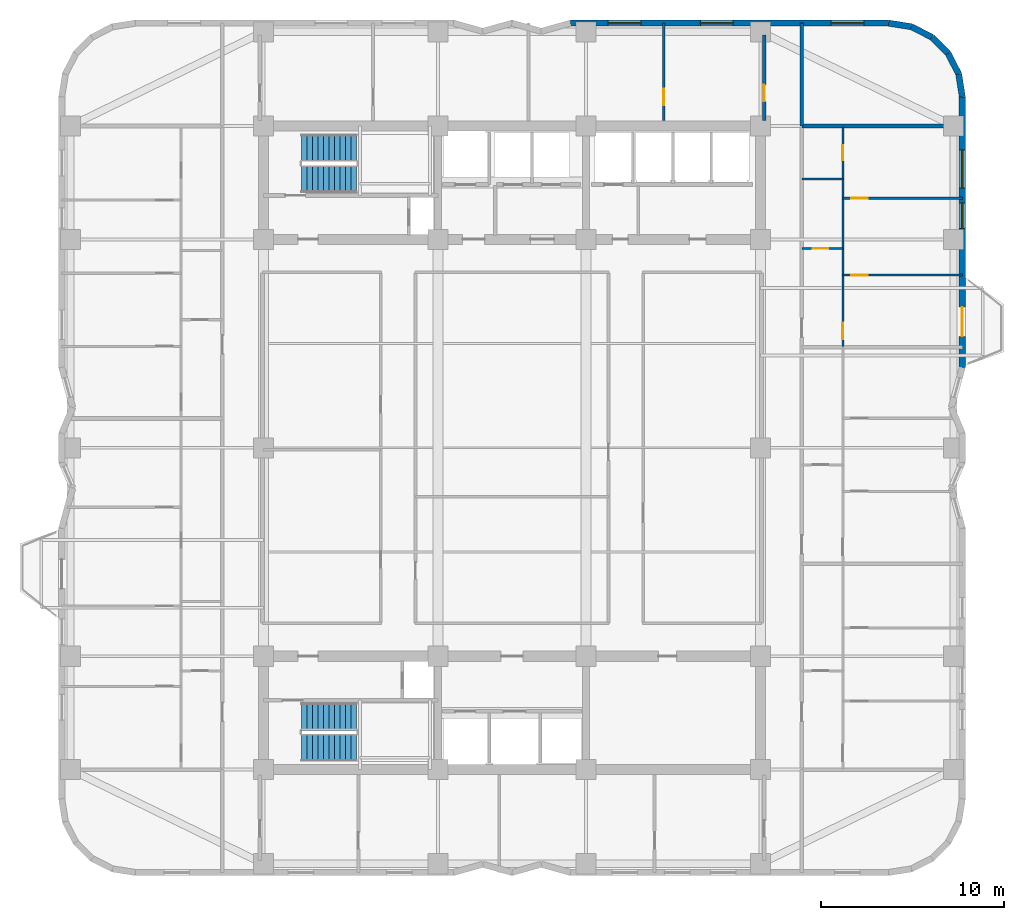
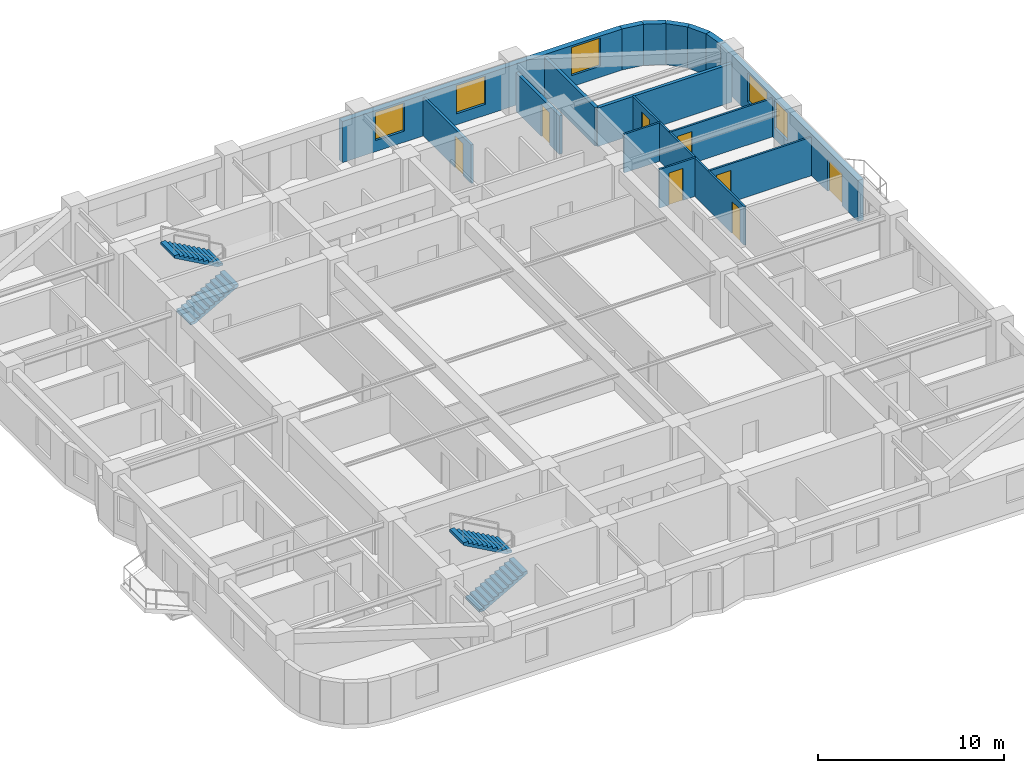
# One storey, part 7 of 9: 16 walls, 8 doors, 5 windows, 4 stair flights, 13 openings, 2 elements without a shape of their own.
"""IFC4 building model written with IfcOpenShell, lengths in metres."""

from ifc_helpers import new_model, si_unit, direction, frame, frame_2d, origin, place, context, subcontext, project, spatial, polyline, rectangle, outline, extrude, material, layer, layer_set, type_object, element, fill, aggregate, save


model = new_model("IFC4")

# Units and contexts
model_context = context("Model", 3, precision=1e-05, world=origin(), true_north=direction((0.0, 1.0)))
body_context = subcontext(model_context, "Body", "Model", "MODEL_VIEW")
ifc_project = project(units=[si_unit("LENGTHUNIT", "METRE"), si_unit("AREAUNIT", "SQUARE_METRE"), si_unit("VOLUMEUNIT", "CUBIC_METRE"), si_unit("PLANEANGLEUNIT", "RADIAN"), si_unit("MASSUNIT", "GRAM", prefix="KILO")], contexts=[model_context])

# Site, building, storey
site_placement = place(None, origin())
site = spatial("IfcSite", under=ifc_project, at=site_placement, CompositionType="ELEMENT")
building_placement = place(site_placement, origin())
building = spatial("IfcBuilding", under=site, at=building_placement, Name="Svetorya Sky Lyceum", CompositionType="ELEMENT")
storey_placement = place(building_placement, frame((0.0, 0.0, 92.0)))
storey = spatial("IfcBuildingStorey", under=building, at=storey_placement, Name="L22", CompositionType="ELEMENT", Elevation=92.0)

# Wall, openings, door, windows
ifc_material_1 = material(Name="Putilovo limestone rainscreen on autoclaved cellular masonry", Category="masonry")
ifc_layer_1 = layer(ifc_material_1, 0.340087890625)
ifc_layer_set_1 = layer_set([ifc_layer_1], Name="Putilovo limestone rainscreen on autoclaved cellular masonry")
wall_type_1 = type_object("IfcWallType", Name="WL-EXT-340", PredefinedType="SOLIDWALL", material=ifc_layer_set_1)
wall_1_placement = place(storey_placement, frame((63.830078125, 32.60009765625, 0.0), z_axis=(0.0, 0.0, 1.0), x_axis=(0.0, 1.0, 0.0)))
wall_1 = element("IfcWall", 1, at=wall_1_placement, inside=storey, type_object=wall_type_1, Name="L22 Limestone Exterior Wall 23M", PredefinedType="SOLIDWALL", context=body_context, shape_type="SweptSolid", body=[
    extrude(rectangle(XDim=14.7998046875, YDim=0.340087890625, at=frame_2d((7.39990234375, 0.0))), origin(), (0.0, 0.0, 1.0), 2.699951171875),
])
opening_1_placement = place(wall_1_placement, frame((1.699951171875, 0.0, 0.0)))
opening_1 = element("IfcOpeningElement", 2, at=opening_1_placement, cuts=wall_1, Name="Opening D-BL1", PredefinedType="OPENING", context=body_context, shape_type="SweptSolid", body=[
    extrude(rectangle(XDim=1.60009765625, YDim=2.10009765625, at=frame_2d((0.800048828125, 1.050048828125))), frame((0.0, 0.179931640625, 0.0), z_axis=(0.0, -1.0, 0.0), x_axis=(1.0, 0.0, 0.0)), (0.0, 0.0, 1.0), 0.360107421875),
])
opening_2_placement = place(wall_1_placement, frame((7.60009765625, 0.0, 0.68994140625)))
opening_2 = element("IfcOpeningElement", 3, at=opening_2_placement, cuts=wall_1, Name="Opening W-R2", PredefinedType="OPENING", context=body_context, shape_type="SweptSolid", body=[
    extrude(rectangle(XDim=1.39990234375, YDim=1.85009765625, at=frame_2d((0.699951171875, 0.925048828125))), frame((0.0, 0.179931640625, 0.0), z_axis=(0.0, -1.0, 0.0), x_axis=(1.0, 0.0, 0.0)), (0.0, 0.0, 1.0), 0.360107421875),
])
opening_3_placement = place(wall_1_placement, frame((9.800048828125, 0.0, 0.679931640625)))
opening_3 = element("IfcOpeningElement", 4, at=opening_3_placement, cuts=wall_1, Name="Opening W-R0", PredefinedType="OPENING", context=body_context, shape_type="SweptSolid", body=[
    extrude(rectangle(XDim=2.10009765625, YDim=1.89990234375, at=frame_2d((1.050048828125, 0.949951171875))), frame((0.0, 0.179931640625, 0.0), z_axis=(0.0, -1.0, 0.0), x_axis=(1.0, 0.0, 0.0)), (0.0, 0.0, 1.0), 0.360107421875),
])
ifc_material_2 = material(Name="Insulated glazed aluminium balcony door", Category="aluminium")
door_type_1 = type_object("IfcDoorType", Name="DR-BAL-1600", OperationType="DOUBLE_DOOR_SINGLE_SWING", PredefinedType="DOOR", material=ifc_material_2)
door_1_placement = place(opening_1_placement, origin())
door_1 = element("IfcDoor", 5, at=door_1_placement, inside=storey, type_object=door_type_1, Name="L22 Balcony BAL-E1 Door", OperationType="DOUBLE_DOOR_SINGLE_SWING", OverallHeight=2.10009765625, OverallWidth=1.60009765625, PredefinedType="DOOR", context=body_context, shape_type="SweptSolid", body=[
    extrude(rectangle(XDim=1.60009765625, YDim=2.10009765625, at=frame_2d((0.800048828125, 1.050048828125))), frame((0.0, 0.02490234375, 0.0), z_axis=(0.0, -1.0, 0.0), x_axis=(1.0, 0.0, 0.0)), (0.0, 0.0, 1.0), 0.050048828125),
])
fill(opening_1, door_1)
ifc_material_3 = material(Name="Thermally broken aluminium frame with triple low-E glazing", Category="aluminium")
window_type_1 = type_object("IfcWindowType", Name="WN-RES-140", PartitioningType="SINGLE_PANEL", PredefinedType="WINDOW", material=ifc_material_3)
window_1_placement = place(opening_2_placement, origin())
window_1 = element("IfcWindow", 6, at=window_1_placement, inside=storey, type_object=window_type_1, Name="L22 Facade Window W-R2.23M.2", OverallHeight=1.85009765625, OverallWidth=1.39990234375, PartitioningType="SINGLE_PANEL", PredefinedType="WINDOW", context=body_context, shape_type="SweptSolid", body=[
    extrude(rectangle(XDim=1.39990234375, YDim=1.85009765625, at=frame_2d((0.699951171875, 0.925048828125))), frame((0.0, 0.030029296875, 0.0), z_axis=(0.0, -1.0, 0.0), x_axis=(1.0, 0.0, 0.0)), (0.0, 0.0, 1.0), 0.06005859375),
])
fill(opening_2, window_1)
window_type_2 = type_object("IfcWindowType", Name="WN-RES-210", PartitioningType="TRIPLE_PANEL_VERTICAL", PredefinedType="WINDOW", material=ifc_material_3)
window_2_placement = place(opening_3_placement, origin())
window_2 = element("IfcWindow", 7, at=window_2_placement, inside=storey, type_object=window_type_2, Name="L22 Facade Window W-R0.23M.1", OverallHeight=1.89990234375, OverallWidth=2.10009765625, PartitioningType="SINGLE_PANEL", PredefinedType="WINDOW", context=body_context, shape_type="SweptSolid", body=[
    extrude(rectangle(XDim=2.10009765625, YDim=1.89990234375, at=frame_2d((1.050048828125, 0.949951171875))), frame((0.0, 0.030029296875, 0.0), z_axis=(0.0, -1.0, 0.0), x_axis=(1.0, 0.0, 0.0)), (0.0, 0.0, 1.0), 0.06005859375),
])
fill(opening_3, window_2)

# Walls
for number, where, z_axis, x_axis, name in (
    (8, (63.830078125, 47.39990234375, 0.0), (0.0, 0.0, 1.0), (-0.15644975923, 0.987685918112, 0.0), "L22 Limestone Exterior Wall 24M"),
    (9, (63.6328125, 48.645263671875, 0.0), (0.0, 0.0, 1.0), (-0.454015689056, 0.890993689142, 0.0), "L22 Limestone Exterior Wall 25M"),
    (10, (63.060302734375, 49.768798828125, 0.0), (0.0, 0.0, 1.0), (-0.707106781187, 0.707106781187, 0.0), "L22 Limestone Exterior Wall 26M"),
):
    element("IfcWall", number, at=place(storey_placement, frame(where, z_axis=z_axis, x_axis=x_axis)), inside=storey, type_object=wall_type_1, Name=name, PredefinedType="SOLIDWALL", context=body_context, shape_type="SweptSolid", body=[
        extrude(rectangle(XDim=1.260986328125, YDim=0.340087890625, at=frame_2d((0.63037109375, 0.0))), origin(), (0.0, 0.0, 1.0), 2.699951171875),
    ])
for number, where, z_axis, x_axis, name in (
    (11, (62.168701171875, 50.660400390625, 0.0), (0.0, 0.0, 1.0), (-0.890953769915, 0.454094020963, 0.0), "L22 Limestone Exterior Wall 27M"),
    (12, (61.04541015625, 51.23291015625, 0.0), (0.0, 0.0, 1.0), (-0.98771582066, 0.156260864002, 0.0), "L22 Limestone Exterior Wall 28M"),
):
    element("IfcWall", number, at=place(storey_placement, frame(where, z_axis=z_axis, x_axis=x_axis)), inside=storey, type_object=wall_type_1, Name=name, PredefinedType="SOLIDWALL", context=body_context, shape_type="SweptSolid", body=[
        extrude(rectangle(XDim=1.2607421875, YDim=0.340087890625, at=frame_2d((0.63037109375, 0.0))), origin(), (0.0, 0.0, 1.0), 2.699951171875),
    ])

# Wall, openings, windows
wall_2_placement = place(storey_placement, frame((59.800048828125, 51.429931640625, 0.0), z_axis=(0.0, 0.0, 1.0), x_axis=(-1.0, 0.0, 0.0)))
wall_2 = element("IfcWall", 13, at=wall_2_placement, inside=storey, type_object=wall_type_1, Name="L22 Limestone Exterior Wall 29M", PredefinedType="SOLIDWALL", context=body_context, shape_type="SweptSolid", body=[
    extrude(rectangle(XDim=17.400146484375, YDim=0.340087890625, at=frame_2d((8.7001953125, 0.0))), origin(), (0.0, 0.0, 1.0), 2.699951171875),
])
opening_4_placement = place(wall_2_placement, frame((1.360107421875, 0.0, 0.72998046875)))
opening_4 = element("IfcOpeningElement", 14, at=opening_4_placement, cuts=wall_2, Name="Opening W-R1", PredefinedType="OPENING", context=body_context, shape_type="SweptSolid", body=[
    extrude(rectangle(XDim=1.800048828125, YDim=1.85009765625, at=frame_2d((0.89990234375, 0.925048828125))), frame((0.0, 0.179931640625, 0.0), z_axis=(0.0, -1.0, 0.0), x_axis=(1.0, 0.0, 0.0)), (0.0, 0.0, 1.0), 0.360107421875),
])
opening_5_placement = place(wall_2_placement, frame((8.5, 0.0, 0.72998046875)))
opening_5 = element("IfcOpeningElement", 15, at=opening_5_placement, cuts=wall_2, Name="Opening W-R1", PredefinedType="OPENING", context=body_context, shape_type="SweptSolid", body=[
    extrude(rectangle(XDim=1.800048828125, YDim=1.85009765625, at=frame_2d((0.89990234375, 0.925048828125))), frame((0.0, 0.179931640625, 0.0), z_axis=(0.0, -1.0, 0.0), x_axis=(1.0, 0.0, 0.0)), (0.0, 0.0, 1.0), 0.360107421875),
])
opening_6_placement = place(wall_2_placement, frame((13.5400390625, 0.0, 0.72998046875)))
opening_6 = element("IfcOpeningElement", 16, at=opening_6_placement, cuts=wall_2, Name="Opening W-R1", PredefinedType="OPENING", context=body_context, shape_type="SweptSolid", body=[
    extrude(rectangle(XDim=1.800048828125, YDim=1.85009765625, at=frame_2d((0.89990234375, 0.925048828125))), frame((0.0, 0.179931640625, 0.0), z_axis=(0.0, -1.0, 0.0), x_axis=(1.0, 0.0, 0.0)), (0.0, 0.0, 1.0), 0.360107421875),
])
window_type_3 = type_object("IfcWindowType", Name="WN-RES-180", PartitioningType="DOUBLE_PANEL_VERTICAL", PredefinedType="WINDOW", material=ifc_material_3)
window_3_placement = place(opening_4_placement, origin())
window_3 = element("IfcWindow", 17, at=window_3_placement, inside=storey, type_object=window_type_3, Name="L22 Facade Window W-R1.29M.1", OverallHeight=1.85009765625, OverallWidth=1.800048828125, PartitioningType="SINGLE_PANEL", PredefinedType="WINDOW", context=body_context, shape_type="SweptSolid", body=[
    extrude(rectangle(XDim=1.800048828125, YDim=1.85009765625, at=frame_2d((0.89990234375, 0.925048828125))), frame((0.0, 0.030029296875, 0.0), z_axis=(0.0, -1.0, 0.0), x_axis=(1.0, 0.0, 0.0)), (0.0, 0.0, 1.0), 0.06005859375),
])
fill(opening_4, window_3)
window_4_placement = place(opening_5_placement, origin())
window_4 = element("IfcWindow", 18, at=window_4_placement, inside=storey, type_object=window_type_3, Name="L22 Facade Window W-R1.29M.2", OverallHeight=1.85009765625, OverallWidth=1.800048828125, PartitioningType="SINGLE_PANEL", PredefinedType="WINDOW", context=body_context, shape_type="SweptSolid", body=[
    extrude(rectangle(XDim=1.800048828125, YDim=1.85009765625, at=frame_2d((0.89990234375, 0.925048828125))), frame((0.0, 0.030029296875, 0.0), z_axis=(0.0, -1.0, 0.0), x_axis=(1.0, 0.0, 0.0)), (0.0, 0.0, 1.0), 0.06005859375),
])
fill(opening_5, window_4)
window_5_placement = place(opening_6_placement, origin())
window_5 = element("IfcWindow", 19, at=window_5_placement, inside=storey, type_object=window_type_3, Name="L22 Facade Window W-R1.29M.3", OverallHeight=1.85009765625, OverallWidth=1.800048828125, PartitioningType="SINGLE_PANEL", PredefinedType="WINDOW", context=body_context, shape_type="SweptSolid", body=[
    extrude(rectangle(XDim=1.800048828125, YDim=1.85009765625, at=frame_2d((0.89990234375, 0.925048828125))), frame((0.0, 0.030029296875, 0.0), z_axis=(0.0, -1.0, 0.0), x_axis=(1.0, 0.0, 0.0)), (0.0, 0.0, 1.0), 0.06005859375),
])
fill(opening_6, window_5)

# Wall, opening, door
ifc_material_4 = material(Name="Twin-stud galvanized framing with double fireboard", Category="gypsum")
ifc_layer_2 = layer(ifc_material_4, 0.1201171875)
ifc_layer_set_2 = layer_set([ifc_layer_2], Name="Twin-stud galvanized framing with double fireboard")
wall_type_2 = type_object("IfcWallType", Name="WL-PART-120", PredefinedType="PARTITIONING", material=ifc_layer_set_2)
wall_3_placement = place(storey_placement, frame((55.050048828125, 39.10009765625, 0.0), z_axis=(0.0, 0.0, 1.0), x_axis=(1.0, 0.0, 0.0)))
wall_3 = element("IfcWall", 20, at=wall_3_placement, inside=storey, type_object=wall_type_2, Name="L22 Interior Partition E3-WH1", PredefinedType="PARTITIONING", context=body_context, shape_type="SweptSolid", body=[
    extrude(rectangle(XDim=2.25, YDim=0.1201171875, at=frame_2d((1.125, 0.0))), origin(), (0.0, 0.0, 1.0), 2.530029296875),
])
opening_7_placement = place(wall_3_placement, frame((0.60009765625, 0.0, 0.0)))
opening_7 = element("IfcOpeningElement", 21, at=opening_7_placement, cuts=wall_3, Name="Opening D-BT1", PredefinedType="OPENING", context=body_context, shape_type="SweptSolid", body=[
    extrude(rectangle(XDim=0.85009765625, YDim=2.10009765625, at=frame_2d((0.425048828125, 1.050048828125))), frame((0.0, 0.070068359375, 0.0), z_axis=(0.0, -1.0, 0.0), x_axis=(1.0, 0.0, 0.0)), (0.0, 0.0, 1.0), 0.14013671875),
])
ifc_material_5 = material(Name="Moisture-resistant laminate bathroom door")
door_type_2 = type_object("IfcDoorType", Name="DR-WET-850", OperationType="SINGLE_SWING_LEFT", PredefinedType="DOOR", material=ifc_material_5)
door_2_placement = place(opening_7_placement, origin())
door_2 = element("IfcDoor", 22, at=door_2_placement, inside=storey, type_object=door_type_2, Name="Apartment E3 Bathroom Door", OperationType="SINGLE_SWING_RIGHT", OverallHeight=2.10009765625, OverallWidth=0.85009765625, PredefinedType="DOOR", context=body_context, shape_type="SweptSolid", body=[
    extrude(rectangle(XDim=0.85009765625, YDim=2.10009765625, at=frame_2d((0.425048828125, 1.050048828125))), frame((0.0, 0.02490234375, 0.0), z_axis=(0.0, -1.0, 0.0), x_axis=(1.0, 0.0, 0.0)), (0.0, 0.0, 1.0), 0.050048828125),
])
fill(opening_7, door_2)

# Wall
wall_4_placement = place(storey_placement, frame((55.050048828125, 42.89990234375, 0.0), z_axis=(0.0, 0.0, 1.0), x_axis=(1.0, 0.0, 0.0)))
element("IfcWall", 23, at=wall_4_placement, inside=storey, type_object=wall_type_2, Name="L22 Interior Partition E3-WH2", PredefinedType="PARTITIONING", context=body_context, shape_type="SweptSolid", body=[
    extrude(rectangle(XDim=2.25, YDim=0.1201171875, at=frame_2d((1.125, 0.0))), origin(), (0.0, 0.0, 1.0), 2.530029296875),
])

# Wall, opening, door
wall_5_placement = place(storey_placement, frame((57.300048828125, 37.64990234375, 0.0), z_axis=(0.0, 0.0, 1.0), x_axis=(1.0, 0.0, 0.0)))
wall_5 = element("IfcWall", 24, at=wall_5_placement, inside=storey, type_object=wall_type_2, Name="L22 Interior Partition E3-WL1", PredefinedType="PARTITIONING", context=body_context, shape_type="SweptSolid", body=[
    extrude(rectangle(XDim=6.530029296875, YDim=0.1201171875, at=frame_2d((3.26513671875, 0.0))), origin(), (0.0, 0.0, 1.0), 2.530029296875),
])
opening_8_placement = place(wall_5_placement, frame((0.449951171875, 0.0, 0.0)))
opening_8 = element("IfcOpeningElement", 25, at=opening_8_placement, cuts=wall_5, Name="Opening D-RM1", PredefinedType="OPENING", context=body_context, shape_type="SweptSolid", body=[
    extrude(rectangle(XDim=0.89990234375, YDim=2.10009765625, at=frame_2d((0.449951171875, 1.050048828125))), frame((0.0, 0.070068359375, 0.0), z_axis=(0.0, -1.0, 0.0), x_axis=(1.0, 0.0, 0.0)), (0.0, 0.0, 1.0), 0.14013671875),
])
ifc_material_6 = material(Name="Lacquered birch veneer internal door")
door_type_3 = type_object("IfcDoorType", Name="DR-INT-900", OperationType="SINGLE_SWING_LEFT", PredefinedType="DOOR", material=ifc_material_6)
door_3_placement = place(opening_8_placement, origin())
door_3 = element("IfcDoor", 26, at=door_3_placement, inside=storey, type_object=door_type_3, Name="Apartment E3 Master Bedroom Door", OperationType="SINGLE_SWING_RIGHT", OverallHeight=2.10009765625, OverallWidth=0.89990234375, PredefinedType="DOOR", context=body_context, shape_type="SweptSolid", body=[
    extrude(rectangle(XDim=0.89990234375, YDim=2.10009765625, at=frame_2d((0.449951171875, 1.050048828125))), frame((0.0, 0.02490234375, 0.0), z_axis=(0.0, -1.0, 0.0), x_axis=(1.0, 0.0, 0.0)), (0.0, 0.0, 1.0), 0.050048828125),
])
fill(opening_8, door_3)

wall_6_placement = place(storey_placement, frame((57.300048828125, 41.85009765625, 0.0), z_axis=(0.0, 0.0, 1.0), x_axis=(1.0, 0.0, 0.0)))
wall_6 = element("IfcWall", 27, at=wall_6_placement, inside=storey, type_object=wall_type_2, Name="L22 Interior Partition E3-WL2", PredefinedType="PARTITIONING", context=body_context, shape_type="SweptSolid", body=[
    extrude(rectangle(XDim=6.530029296875, YDim=0.1201171875, at=frame_2d((3.26513671875, 0.0))), origin(), (0.0, 0.0, 1.0), 2.530029296875),
])
opening_9_placement = place(wall_6_placement, frame((0.449951171875, 0.0, 0.0)))
opening_9 = element("IfcOpeningElement", 28, at=opening_9_placement, cuts=wall_6, Name="Opening D-RM1", PredefinedType="OPENING", context=body_context, shape_type="SweptSolid", body=[
    extrude(rectangle(XDim=0.89990234375, YDim=2.10009765625, at=frame_2d((0.449951171875, 1.050048828125))), frame((0.0, 0.070068359375, 0.0), z_axis=(0.0, -1.0, 0.0), x_axis=(1.0, 0.0, 0.0)), (0.0, 0.0, 1.0), 0.14013671875),
])
door_4_placement = place(opening_9_placement, origin())
door_4 = element("IfcDoor", 29, at=door_4_placement, inside=storey, type_object=door_type_3, Name="Apartment E3 Bedroom 2 Door", OperationType="SINGLE_SWING_LEFT", OverallHeight=2.10009765625, OverallWidth=0.89990234375, PredefinedType="DOOR", context=body_context, shape_type="SweptSolid", body=[
    extrude(rectangle(XDim=0.89990234375, YDim=2.10009765625, at=frame_2d((0.449951171875, 1.050048828125))), frame((0.0, 0.02490234375, 0.0), z_axis=(0.0, -1.0, 0.0), x_axis=(1.0, 0.0, 0.0)), (0.0, 0.0, 1.0), 0.050048828125),
])
fill(opening_9, door_4)

# Wall, openings, doors
wall_7_placement = place(storey_placement, frame((57.300048828125, 33.739990234375, 0.0), z_axis=(0.0, 0.0, 1.0), x_axis=(0.0, 1.0, 0.0)))
wall_7 = element("IfcWall", 30, at=wall_7_placement, inside=storey, type_object=wall_type_2, Name="L22 Interior Partition E3-WV", PredefinedType="PARTITIONING", context=body_context, shape_type="SweptSolid", body=[
    extrude(rectangle(XDim=12.02001953125, YDim=0.1201171875, at=frame_2d((6.010009765625, 0.0))), origin(), (0.0, 0.0, 1.0), 2.530029296875),
])
opening_10_placement = place(wall_7_placement, frame((0.409912109375, 0.0, 0.0)))
opening_10 = element("IfcOpeningElement", 31, at=opening_10_placement, cuts=wall_7, Name="Opening D-RM1", PredefinedType="OPENING", context=body_context, shape_type="SweptSolid", body=[
    extrude(rectangle(XDim=0.89990234375, YDim=2.10009765625, at=frame_2d((0.449951171875, 1.050048828125))), frame((0.0, 0.070068359375, 0.0), z_axis=(0.0, -1.0, 0.0), x_axis=(1.0, 0.0, 0.0)), (0.0, 0.0, 1.0), 0.14013671875),
])
opening_11_placement = place(wall_7_placement, frame((10.18505859375, 0.0, 0.0)))
opening_11 = element("IfcOpeningElement", 32, at=opening_11_placement, cuts=wall_7, Name="Opening D-BT2", PredefinedType="OPENING", context=body_context, shape_type="SweptSolid", body=[
    extrude(rectangle(XDim=0.820068359375, YDim=2.080078125, at=frame_2d((0.41015625, 1.0400390625))), frame((0.0, 0.070068359375, 0.0), z_axis=(0.0, -1.0, 0.0), x_axis=(1.0, 0.0, 0.0)), (0.0, 0.0, 1.0), 0.14013671875),
])
door_5_placement = place(opening_10_placement, origin())
door_5 = element("IfcDoor", 33, at=door_5_placement, inside=storey, type_object=door_type_3, Name="Apartment E3 Living Door", OperationType="SINGLE_SWING_LEFT", OverallHeight=2.10009765625, OverallWidth=0.89990234375, PredefinedType="DOOR", context=body_context, shape_type="SweptSolid", body=[
    extrude(rectangle(XDim=0.89990234375, YDim=2.10009765625, at=frame_2d((0.449951171875, 1.050048828125))), frame((0.0, 0.02490234375, 0.0), z_axis=(0.0, -1.0, 0.0), x_axis=(1.0, 0.0, 0.0)), (0.0, 0.0, 1.0), 0.050048828125),
])
fill(opening_10, door_5)
ifc_material_7 = material(Name="Compact moisture-resistant laminate closet door")
door_type_4 = type_object("IfcDoorType", Name="DR-WET-820", OperationType="SINGLE_SWING_LEFT", PredefinedType="DOOR", material=ifc_material_7)
door_6_placement = place(opening_11_placement, origin())
door_6 = element("IfcDoor", 34, at=door_6_placement, inside=storey, type_object=door_type_4, Name="Apartment E3 Study Door", OperationType="SINGLE_SWING_RIGHT", OverallHeight=2.080078125, OverallWidth=0.820068359375, PredefinedType="DOOR", context=body_context, shape_type="SweptSolid", body=[
    extrude(rectangle(XDim=0.820068359375, YDim=2.080078125, at=frame_2d((0.41015625, 1.0400390625))), frame((0.0, 0.02490234375, 0.0), z_axis=(0.0, -1.0, 0.0), x_axis=(1.0, 0.0, 0.0)), (0.0, 0.0, 1.0), 0.050048828125),
])
fill(opening_11, door_6)

# Wall, opening, door
ifc_material_8 = material(Name="Autoclaved cellular masonry blockwork with acoustic render", Category="masonry")
ifc_layer_3 = layer(ifc_material_8, 0.14990234375)
ifc_layer_set_3 = layer_set([ifc_layer_3], Name="Autoclaved cellular masonry blockwork with acoustic render")
wall_type_3 = type_object("IfcWallType", Name="WL-PART-150", PredefinedType="PARTITIONING", material=ifc_layer_set_3)
wall_8_placement = place(storey_placement, frame((47.5, 46.10009765625, 0.0), z_axis=(0.0, 0.0, 1.0), x_axis=(0.0, 1.0, 0.0)))
wall_8 = element("IfcWall", 35, at=wall_8_placement, inside=storey, type_object=wall_type_3, Name="L22 Interior Partition N4-D3", PredefinedType="PARTITIONING", context=body_context, shape_type="SweptSolid", body=[
    extrude(rectangle(XDim=5.329833984375, YDim=0.14990234375, at=frame_2d((2.6650390625, 0.0))), origin(), (0.0, 0.0, 1.0), 2.530029296875),
])
opening_12_placement = place(wall_8_placement, frame((0.85009765625, 0.0, 0.0)))
opening_12 = element("IfcOpeningElement", 36, at=opening_12_placement, cuts=wall_8, Name="Opening D-RM1", PredefinedType="OPENING", context=body_context, shape_type="SweptSolid", body=[
    extrude(rectangle(XDim=0.89990234375, YDim=2.10009765625, at=frame_2d((0.449951171875, 1.050048828125))), frame((0.0, 0.0849609375, 0.0), z_axis=(0.0, -1.0, 0.0), x_axis=(1.0, 0.0, 0.0)), (0.0, 0.0, 1.0), 0.169921875),
])
door_7_placement = place(opening_12_placement, origin())
door_7 = element("IfcDoor", 37, at=door_7_placement, inside=storey, type_object=door_type_3, Name="L22 North Suite Door 3", OperationType="SINGLE_SWING_RIGHT", OverallHeight=2.10009765625, OverallWidth=0.89990234375, PredefinedType="DOOR", context=body_context, shape_type="SweptSolid", body=[
    extrude(rectangle(XDim=0.89990234375, YDim=2.10009765625, at=frame_2d((0.449951171875, 1.050048828125))), frame((0.0, 0.02490234375, 0.0), z_axis=(0.0, -1.0, 0.0), x_axis=(1.0, 0.0, 0.0)), (0.0, 0.0, 1.0), 0.050048828125),
])
fill(opening_12, door_7)

# Walls
ifc_material_9 = material(Name="Autoclaved cellular masonry blockwork with gypsum plaster", Category="masonry")
ifc_layer_4 = layer(ifc_material_9, 0.199951171875)
ifc_layer_set_4 = layer_set([ifc_layer_4], Name="Autoclaved cellular masonry blockwork with gypsum plaster")
wall_type_4 = type_object("IfcWallType", Name="WL-PART-200", PredefinedType="PARTITIONING", material=ifc_layer_set_4)
wall_9_placement = place(storey_placement, frame((55.050048828125, 45.800048828125, 0.0), z_axis=(0.0, 0.0, 1.0), x_axis=(1.0, 0.0, 0.0)))
element("IfcWall", 38, at=wall_9_placement, inside=storey, type_object=wall_type_4, Name="L22 Interior Partition E-CAP-N", PredefinedType="PARTITIONING", context=body_context, shape_type="SweptSolid", body=[
    extrude(rectangle(XDim=8.35986328125, YDim=0.199951171875, at=frame_2d((4.179931640625, 0.0))), origin(), (0.0, 0.0, 1.0), 2.530029296875),
])
wall_10_placement = place(storey_placement, frame((55.050048828125, 45.800048828125, 0.0), z_axis=(0.0, 0.0, 1.0), x_axis=(0.0, 1.0, 0.0)))
element("IfcWall", 39, at=wall_10_placement, inside=storey, type_object=wall_type_4, Name="L22 Interior Partition EC-NE-END", PredefinedType="PARTITIONING", context=body_context, shape_type="SweptSolid", body=[
    extrude(rectangle(XDim=5.6298828125, YDim=0.199951171875, at=frame_2d((2.81494140625, 0.0))), origin(), (0.0, 0.0, 1.0), 2.530029296875),
])

# Wall, opening, door
wall_11_placement = place(storey_placement, frame((53.0, 46.10009765625, 0.0), z_axis=(0.0, 0.0, 1.0), x_axis=(0.0, 1.0, 0.0)))
wall_11 = element("IfcWall", 40, at=wall_11_placement, inside=storey, type_object=wall_type_4, Name="L22 Interior Partition N4-EE", PredefinedType="PARTITIONING", context=body_context, shape_type="SweptSolid", body=[
    extrude(rectangle(XDim=4.679931640625, YDim=0.199951171875, at=frame_2d((2.33984375, 0.0))), origin(), (0.0, 0.0, 1.0), 2.530029296875),
])
opening_13_placement = place(wall_11_placement, frame((1.050048828125, 0.0, 0.0)))
opening_13 = element("IfcOpeningElement", 41, at=opening_13_placement, cuts=wall_11, Name="Opening D-RM1", PredefinedType="OPENING", context=body_context, shape_type="SweptSolid", body=[
    extrude(rectangle(XDim=0.89990234375, YDim=2.10009765625, at=frame_2d((0.449951171875, 1.050048828125))), frame((0.0, 0.10986328125, 0.0), z_axis=(0.0, -1.0, 0.0), x_axis=(1.0, 0.0, 0.0)), (0.0, 0.0, 1.0), 0.219970703125),
])
door_8_placement = place(opening_13_placement, origin())
door_8 = element("IfcDoor", 42, at=door_8_placement, inside=storey, type_object=door_type_3, Name="L22 NE Office Door", OperationType="SINGLE_SWING_LEFT", OverallHeight=2.10009765625, OverallWidth=0.89990234375, PredefinedType="DOOR", context=body_context, shape_type="SweptSolid", body=[
    extrude(rectangle(XDim=0.89990234375, YDim=2.10009765625, at=frame_2d((0.449951171875, 1.050048828125))), frame((0.0, 0.02490234375, 0.0), z_axis=(0.0, -1.0, 0.0), x_axis=(1.0, 0.0, 0.0)), (0.0, 0.0, 1.0), 0.050048828125),
])
fill(opening_13, door_8)

# Stair, stair flights
ifc_material_10 = material(Name="Concrete C40/50", Category="concrete")
stair_type_1 = type_object("IfcStairType", Name="STR-ST-N", PredefinedType="HALF_TURN_STAIR", material=ifc_material_10)
stair_1_placement = place(storey_placement, origin())
stair_1 = element("IfcStair", 43, at=stair_1_placement, inside=storey, type_object=stair_type_1, Name="L22 North Core Smoke-Free Exit Stair N3", PredefinedType="HALF_TURN_STAIR")
stair_flight_type_1 = type_object("IfcStairFlightType", Name="SFL-ST-N", PredefinedType="STRAIGHT", material=ifc_material_10)
stair_flight_1_placement = place(storey_placement, frame((27.699951171875, 42.89990234375, 0.0), z_axis=(0.0, 0.0, 1.0), x_axis=(1.0, 0.0, 0.0)))
stair_flight_1 = element("IfcStairFlight", 44, at=stair_flight_1_placement, type_object=stair_flight_type_1, Name="ST-N flight 1", NumberOfRisers=11, NumberOfTreads=10, PredefinedType="STRAIGHT", RiserHeight=0.168181818, TreadLength=0.3, context=body_context, shape_type="SweptSolid", body=[
    extrude(outline(polyline([(0.0, 0.0), (0.0, 0.168212890625), (0.300048828125, 0.168212890625), (0.300048828125, 0.33642578125), (0.60009765625, 0.33642578125), (0.60009765625, 0.504638671875), (0.89990234375, 0.504638671875), (0.89990234375, 0.672607421875), (1.199951171875, 0.672607421875), (1.199951171875, 0.8408203125), (1.5, 0.8408203125), (1.5, 1.009033203125), (1.800048828125, 1.009033203125), (1.800048828125, 1.17724609375), (2.10009765625, 1.17724609375), (2.10009765625, 1.345458984375), (2.39990234375, 1.345458984375), (2.39990234375, 1.513671875), (2.699951171875, 1.513671875), (2.699951171875, 1.681884765625), (3.0, 1.681884765625), (3.0, 1.85009765625), (3.0, 1.510009765625), (0.306640625, 0.0), (0.0, 0.0)])), frame((0.0, 0.75, 0.0), z_axis=(0.0, -1.0, 0.0), x_axis=(1.0, 0.0, 0.0)), (0.0, 0.0, 1.0), 1.5),
])
stair_flight_2_placement = place(storey_placement, frame((30.699951171875, 44.60009765625, 1.85009765625), z_axis=(0.0, 0.0, 1.0), x_axis=(-1.0, 0.0, 0.0)))
stair_flight_2 = element("IfcStairFlight", 45, at=stair_flight_2_placement, type_object=stair_flight_type_1, Name="ST-N flight 2", NumberOfRisers=11, NumberOfTreads=10, PredefinedType="STRAIGHT", RiserHeight=0.168181818, TreadLength=0.3, context=body_context, shape_type="SweptSolid", body=[
    extrude(outline(polyline([(0.0, 0.0), (0.0, 0.168212890625), (0.300048828125, 0.168212890625), (0.300048828125, 0.33642578125), (0.60009765625, 0.33642578125), (0.60009765625, 0.504638671875), (0.89990234375, 0.504638671875), (0.89990234375, 0.672607421875), (1.199951171875, 0.672607421875), (1.199951171875, 0.8408203125), (1.5, 0.8408203125), (1.5, 1.009033203125), (1.800048828125, 1.009033203125), (1.800048828125, 1.17724609375), (2.10009765625, 1.17724609375), (2.10009765625, 1.345458984375), (2.39990234375, 1.345458984375), (2.39990234375, 1.513671875), (2.699951171875, 1.513671875), (2.699951171875, 1.681884765625), (3.0, 1.681884765625), (3.0, 1.85009765625), (3.0, 1.510009765625), (0.306640625, 0.0), (0.0, 0.0)])), frame((0.0, 0.75, 0.0), z_axis=(0.0, -1.0, 0.0), x_axis=(1.0, 0.0, 0.0)), (0.0, 0.0, 1.0), 1.5),
])
aggregate(stair_1, [stair_flight_1, stair_flight_2])

stair_type_2 = type_object("IfcStairType", Name="STR-ST-S", PredefinedType="HALF_TURN_STAIR", material=ifc_material_10)
stair_2_placement = place(storey_placement, origin())
stair_2 = element("IfcStair", 46, at=stair_2_placement, inside=storey, type_object=stair_type_2, Name="L22 South Core Smoke-Free Exit Stair N2", PredefinedType="HALF_TURN_STAIR")
stair_flight_type_2 = type_object("IfcStairFlightType", Name="SFL-ST-S", PredefinedType="STRAIGHT", material=ifc_material_10)
stair_flight_3_placement = place(storey_placement, frame((27.699951171875, 11.800048828125, 0.0), z_axis=(0.0, 0.0, 1.0), x_axis=(1.0, 0.0, 0.0)))
stair_flight_3 = element("IfcStairFlight", 47, at=stair_flight_3_placement, type_object=stair_flight_type_2, Name="ST-S flight 1", NumberOfRisers=11, NumberOfTreads=10, PredefinedType="STRAIGHT", RiserHeight=0.168181818, TreadLength=0.3, context=body_context, shape_type="SweptSolid", body=[
    extrude(outline(polyline([(0.0, 0.0), (0.0, 0.168212890625), (0.300048828125, 0.168212890625), (0.300048828125, 0.33642578125), (0.60009765625, 0.33642578125), (0.60009765625, 0.504638671875), (0.89990234375, 0.504638671875), (0.89990234375, 0.672607421875), (1.199951171875, 0.672607421875), (1.199951171875, 0.8408203125), (1.5, 0.8408203125), (1.5, 1.009033203125), (1.800048828125, 1.009033203125), (1.800048828125, 1.17724609375), (2.10009765625, 1.17724609375), (2.10009765625, 1.345458984375), (2.39990234375, 1.345458984375), (2.39990234375, 1.513671875), (2.699951171875, 1.513671875), (2.699951171875, 1.681884765625), (3.0, 1.681884765625), (3.0, 1.85009765625), (3.0, 1.510009765625), (0.306640625, 0.0), (0.0, 0.0)])), frame((0.0, 0.75, 0.0), z_axis=(0.0, -1.0, 0.0), x_axis=(1.0, 0.0, 0.0)), (0.0, 0.0, 1.0), 1.5),
])
stair_flight_4_placement = place(storey_placement, frame((30.699951171875, 13.5, 1.85009765625), z_axis=(0.0, 0.0, 1.0), x_axis=(-1.0, 0.0, 0.0)))
stair_flight_4 = element("IfcStairFlight", 48, at=stair_flight_4_placement, type_object=stair_flight_type_2, Name="ST-S flight 2", NumberOfRisers=11, NumberOfTreads=10, PredefinedType="STRAIGHT", RiserHeight=0.168181818, TreadLength=0.3, context=body_context, shape_type="SweptSolid", body=[
    extrude(outline(polyline([(0.0, 0.0), (0.0, 0.168212890625), (0.300048828125, 0.168212890625), (0.300048828125, 0.33642578125), (0.60009765625, 0.33642578125), (0.60009765625, 0.504638671875), (0.89990234375, 0.504638671875), (0.89990234375, 0.672607421875), (1.199951171875, 0.672607421875), (1.199951171875, 0.8408203125), (1.5, 0.8408203125), (1.5, 1.009033203125), (1.800048828125, 1.009033203125), (1.800048828125, 1.17724609375), (2.10009765625, 1.17724609375), (2.10009765625, 1.345458984375), (2.39990234375, 1.345458984375), (2.39990234375, 1.513671875), (2.699951171875, 1.513671875), (2.699951171875, 1.681884765625), (3.0, 1.681884765625), (3.0, 1.85009765625), (3.0, 1.510009765625), (0.306640625, 0.0), (0.0, 0.0)])), frame((0.0, 0.75, 0.0), z_axis=(0.0, -1.0, 0.0), x_axis=(1.0, 0.0, 0.0)), (0.0, 0.0, 1.0), 1.5),
])
aggregate(stair_2, [stair_flight_3, stair_flight_4])

save(model, "model.ifc")
